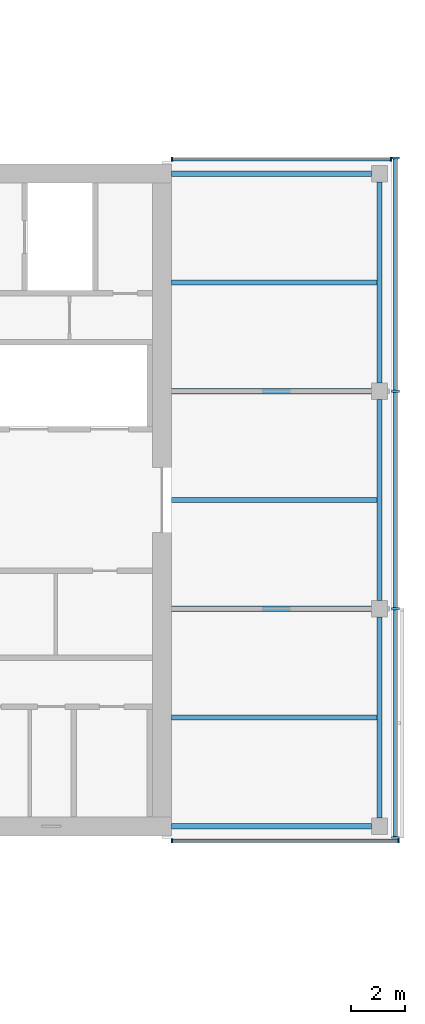
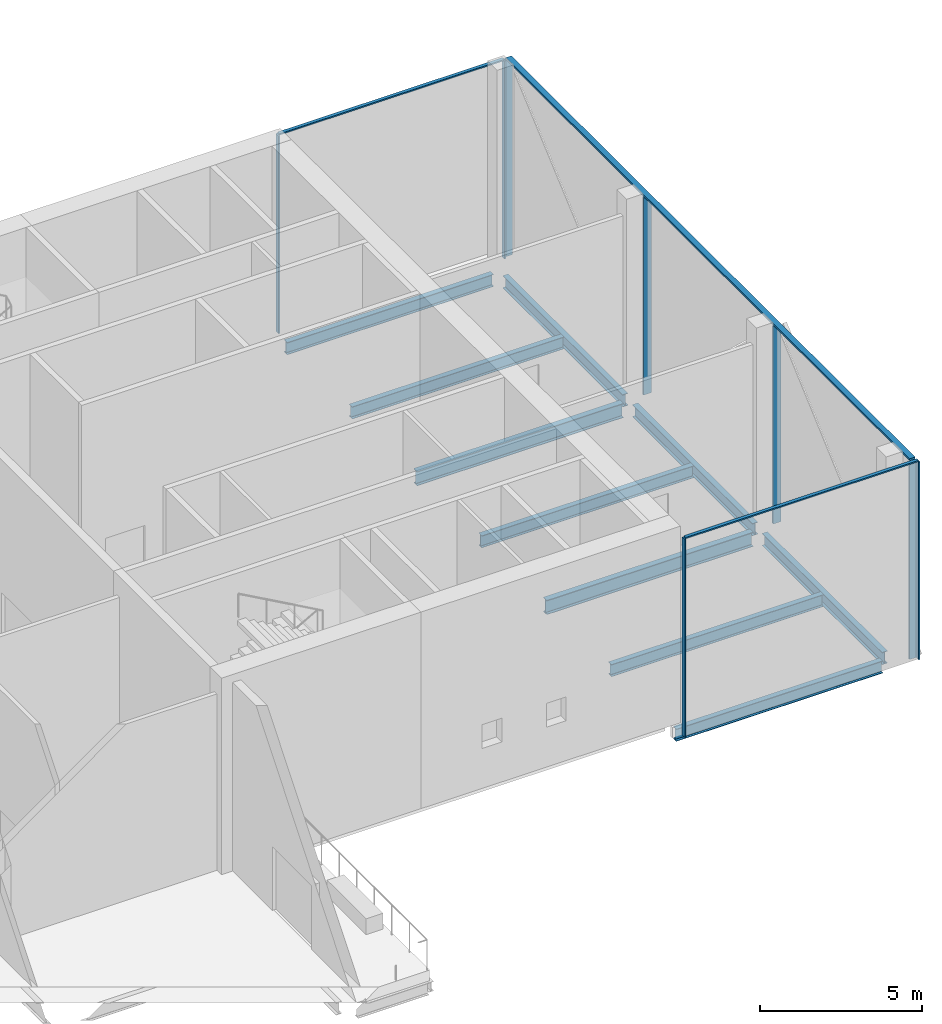
# One storey, part 7 of 20: 11 members, 10 beams, 3 elements without a shape of their own.
"""IFC4 building model written with IfcOpenShell, lengths in metres."""

from ifc_helpers import new_model, si_unit, direction, frame, origin, origin_2d, place, context, subcontext, project, spatial, rectangle, i_section, extrude, material, material_profile, profile_set, type_object, element, aggregate, save


model = new_model("IFC4")

# Units and contexts
model_context = context("Model", 3, precision=1e-05, world=origin(), true_north=direction((0.0, 1.0)))
body_context = subcontext(model_context, "Body", "Model", "MODEL_VIEW")
ifc_project = project(units=[si_unit("LENGTHUNIT", "METRE"), si_unit("AREAUNIT", "SQUARE_METRE"), si_unit("VOLUMEUNIT", "CUBIC_METRE"), si_unit("PLANEANGLEUNIT", "RADIAN"), si_unit("MASSUNIT", "GRAM", prefix="KILO")], contexts=[model_context])

# Site, building, storey
site_placement = place(None, origin())
site = spatial("IfcSite", under=ifc_project, at=site_placement, CompositionType="ELEMENT")
building_placement = place(site_placement, origin())
building = spatial("IfcBuilding", under=site, at=building_placement, Name="Crosswind Convention Tower", CompositionType="ELEMENT")
storey_placement = place(building_placement, frame((0.0, 0.0, 171.5)))
storey = spatial("IfcBuildingStorey", under=building, at=storey_placement, Name="L36", CompositionType="ELEMENT", Elevation=171.5)

# Beams
ifc_material_1 = material(Name="Steel S355", Category="steel")
ifc_material_profile_1 = material_profile(ifc_material_1, i_section(OverallWidth=0.19140625, OverallDepth=0.460205078125, WebThickness=0.010009765625, FlangeThickness=0.01611328125, FilletRadius=0.01025390625, at=origin_2d()), Name="UB 457x191x82")
ifc_profile_set_1 = profile_set([ifc_material_profile_1], Name="Steel S355")
beam_type_1 = type_object("IfcBeamType", Name="Edge beam UB 457x191x82", PredefinedType="SPANDREL", material=ifc_profile_set_1)
for number, where, z_axis, x_axis, name in (
    (1, (153.35009765625, 88.0, -0.630126953125), (1.0, 0.0, 0.0), (0.0, 1.0, 0.0), "B18 L36 edge beam 20"),
    (2, (153.35009765625, 112.0, -0.630126953125), (1.0, 0.0, 0.0), (0.0, 1.0, 0.0), "B18 L36 edge beam 21"),
):
    element("IfcBeam", number, at=place(storey_placement, frame(where, z_axis=z_axis, x_axis=x_axis)), inside=storey, type_object=beam_type_1, Name=name, PredefinedType="SPANDREL", context=body_context, shape_type="SweptSolid", body=[
        extrude(i_section(OverallWidth=0.19140625, OverallDepth=0.460205078125, WebThickness=0.010009765625, FlangeThickness=0.01611328125, FilletRadius=0.01025390625, at=origin_2d()), origin(), (0.0, 0.0, 1.0), 7.349853515625),
    ])
for number, where, z_axis, x_axis, name in (
    (3, (161.0, 88.300048828125, -0.630126953125), (0.0, 1.0, 0.0), (-1.0, 0.0, 0.0), "B18 L36 edge beam 22"),
    (4, (161.0, 96.300048828125, -0.630126953125), (0.0, 1.0, 0.0), (-1.0, 0.0, 0.0), "B18 L36 edge beam 23"),
    (5, (161.0, 104.300048828125, -0.630126953125), (0.0, 1.0, 0.0), (-1.0, 0.0, 0.0), "B18 L36 edge beam 24"),
):
    element("IfcBeam", number, at=place(storey_placement, frame(where, z_axis=z_axis, x_axis=x_axis)), inside=storey, type_object=beam_type_1, Name=name, PredefinedType="SPANDREL", context=body_context, shape_type="SweptSolid", body=[
        extrude(i_section(OverallWidth=0.19140625, OverallDepth=0.460205078125, WebThickness=0.010009765625, FlangeThickness=0.01611328125, FilletRadius=0.01025390625, at=origin_2d()), origin(), (0.0, 0.0, 1.0), 7.39990234375),
    ])
ifc_material_profile_2 = material_profile(ifc_material_1, i_section(OverallWidth=0.210693359375, OverallDepth=0.53955078125, WebThickness=0.01171875, FlangeThickness=0.018798828125, FilletRadius=0.0126953125, at=origin_2d()), Name="UB 533x210x109")
ifc_profile_set_2 = profile_set([ifc_material_profile_2], Name="Steel S355")
beam_type_2 = type_object("IfcBeamType", Name="Girder at core wall UB 533x210x109", PredefinedType="BEAM", material=ifc_profile_set_2)
for number, where, z_axis, x_axis, name in (
    (6, (153.35009765625, 96.0, -0.669677734375), (1.0, 0.0, 0.0), (0.0, 1.0, 0.0), "B25 L36 girder at core wall 11"),
    (7, (153.35009765625, 104.0, -0.669677734375), (1.0, 0.0, 0.0), (0.0, 1.0, 0.0), "B25 L36 girder at core wall 12"),
):
    element("IfcBeam", number, at=place(storey_placement, frame(where, z_axis=z_axis, x_axis=x_axis)), inside=storey, type_object=beam_type_2, Name=name, PredefinedType="BEAM", context=body_context, shape_type="SweptSolid", body=[
        extrude(i_section(OverallWidth=0.210693359375, OverallDepth=0.53955078125, WebThickness=0.01171875, FlangeThickness=0.018798828125, FilletRadius=0.0126953125, at=origin_2d()), origin(), (0.0, 0.0, 1.0), 7.349853515625),
    ])

# Curtain wall, members
ifc_material_2 = material(Name="Aluminium unitised curtain wall", Category="aluminium")
curtain_wall_type_1 = type_object("IfcCurtainWallType", Name="CORE END SLOT WALL 160", PredefinedType="USERDEFINED", material=ifc_material_2)
curtain_wall_1_placement = place(storey_placement, origin())
curtain_wall_1 = element("IfcCurtainWall", 8, at=curtain_wall_1_placement, inside=storey, type_object=curtain_wall_type_1, Name="CW6 L36 E-N.1-1 slot", ObjectType="UNITISED", PredefinedType="USERDEFINED")
ifc_material_3 = material(Name="Aluminium mullion", Category="aluminium")
ifc_material_profile_3 = material_profile(ifc_material_3, rectangle(XDim=0.159912109375, YDim=0.050048828125, at=origin_2d()), Name="AL 160X50")
ifc_profile_set_3 = profile_set([ifc_material_profile_3], Name="Aluminium mullion")
member_type_1 = type_object("IfcMemberType", Name="MULLION 50X160", PredefinedType="MULLION", material=ifc_profile_set_3)
member_1_placement = place(storey_placement, frame((161.425048828125, 112.530029296875, -0.39990234375), z_axis=(0.0, 0.0, 1.0), x_axis=(0.0, 1.0, 0.0)))
member_1 = element("IfcMember", 9, at=member_1_placement, type_object=member_type_1, Name="CW6 mullion 1", PredefinedType="MULLION", context=body_context, shape_type="SweptSolid", body=[
    extrude(rectangle(XDim=0.159912109375, YDim=0.050048828125, at=origin_2d()), origin(), (0.0, 0.0, 1.0), 7.449951171875),
])
member_2_placement = place(storey_placement, frame((153.375, 112.530029296875, -0.39990234375), z_axis=(0.0, 0.0, 1.0), x_axis=(0.0, 1.0, 0.0)))
member_2 = element("IfcMember", 10, at=member_2_placement, type_object=member_type_1, Name="CW6 mullion 2", PredefinedType="MULLION", context=body_context, shape_type="SweptSolid", body=[
    extrude(rectangle(XDim=0.159912109375, YDim=0.050048828125, at=origin_2d()), origin(), (0.0, 0.0, 1.0), 7.449951171875),
])

curtain_wall_2_placement = place(storey_placement, origin())
curtain_wall_2 = element("IfcCurtainWall", 11, at=curtain_wall_2_placement, inside=storey, type_object=curtain_wall_type_1, Name="CW6 L36 E-S.2-1 slot", ObjectType="UNITISED", PredefinedType="USERDEFINED")
member_3_placement = place(storey_placement, frame((153.375, 87.469970703125, -0.39990234375), z_axis=(0.0, 0.0, 1.0), x_axis=(0.0, -1.0, 0.0)))
member_3 = element("IfcMember", 12, at=member_3_placement, type_object=member_type_1, Name="CW6 mullion 1", PredefinedType="MULLION", context=body_context, shape_type="SweptSolid", body=[
    extrude(rectangle(XDim=0.159912109375, YDim=0.050048828125, at=origin_2d()), origin(), (0.0, 0.0, 1.0), 7.449951171875),
])
member_4_placement = place(storey_placement, frame((161.705078125, 87.469970703125, -0.39990234375), z_axis=(0.0, 0.0, 1.0), x_axis=(0.0, -1.0, 0.0)))
member_4 = element("IfcMember", 13, at=member_4_placement, type_object=member_type_1, Name="CW6 mullion 2", PredefinedType="MULLION", context=body_context, shape_type="SweptSolid", body=[
    extrude(rectangle(XDim=0.159912109375, YDim=0.050048828125, at=origin_2d()), origin(), (0.0, 0.0, 1.0), 7.449951171875),
])

curtain_wall_type_2 = type_object("IfcCurtainWallType", Name="SKY LOBBY AND LOUNGE WALL 280", PredefinedType="USERDEFINED", material=ifc_material_2)
curtain_wall_3_placement = place(storey_placement, origin())
curtain_wall_3 = element("IfcCurtainWall", 14, at=curtain_wall_3_placement, inside=storey, type_object=curtain_wall_type_2, Name="CW4 L36 E-TIP 1", ObjectType="UNITISED", PredefinedType="USERDEFINED")
ifc_material_profile_4 = material_profile(ifc_material_3, rectangle(XDim=0.280029296875, YDim=0.074951171875, at=origin_2d()), Name="AL 280X75")
ifc_profile_set_4 = profile_set([ifc_material_profile_4], Name="Aluminium mullion")
member_type_2 = type_object("IfcMemberType", Name="MULLION 75X280", PredefinedType="MULLION", material=ifc_profile_set_4)
member_5_placement = place(storey_placement, frame((161.590087890625, 87.58740234375, -0.39990234375), z_axis=(0.0, 0.0, 1.0), x_axis=(1.0, 0.0, 0.0)))
member_5 = element("IfcMember", 15, at=member_5_placement, type_object=member_type_2, Name="CW4 mullion 1", PredefinedType="MULLION", context=body_context, shape_type="SweptSolid", body=[
    extrude(rectangle(XDim=0.280029296875, YDim=0.074951171875, at=origin_2d()), origin(), (0.0, 0.0, 1.0), 7.4248046875),
])
member_6_placement = place(storey_placement, frame((161.590087890625, 96.0, -0.39990234375), z_axis=(0.0, 0.0, 1.0), x_axis=(1.0, 0.0, 0.0)))
member_6 = element("IfcMember", 16, at=member_6_placement, type_object=member_type_2, Name="CW4 mullion 2", PredefinedType="MULLION", context=body_context, shape_type="SweptSolid", body=[
    extrude(rectangle(XDim=0.280029296875, YDim=0.074951171875, at=origin_2d()), origin(), (0.0, 0.0, 1.0), 7.4248046875),
])
member_7_placement = place(storey_placement, frame((161.590087890625, 104.0, -0.39990234375), z_axis=(0.0, 0.0, 1.0), x_axis=(1.0, 0.0, 0.0)))
member_7 = element("IfcMember", 17, at=member_7_placement, type_object=member_type_2, Name="CW4 mullion 3", PredefinedType="MULLION", context=body_context, shape_type="SweptSolid", body=[
    extrude(rectangle(XDim=0.280029296875, YDim=0.074951171875, at=origin_2d()), origin(), (0.0, 0.0, 1.0), 7.4248046875),
])
member_8_placement = place(storey_placement, frame((161.590087890625, 112.572509765625, -0.39990234375), z_axis=(0.0, 0.0, 1.0), x_axis=(1.0, 0.0, 0.0)))
member_8 = element("IfcMember", 18, at=member_8_placement, type_object=member_type_2, Name="CW4 mullion 4", PredefinedType="MULLION", context=body_context, shape_type="SweptSolid", body=[
    extrude(rectangle(XDim=0.280029296875, YDim=0.074951171875, at=origin_2d()), origin(), (0.0, 0.0, 1.0), 7.4248046875),
])

# Beams
ifc_material_profile_5 = material_profile(ifc_material_1, i_section(OverallWidth=0.18994140625, OverallDepth=0.45361328125, WebThickness=0.008544921875, FlangeThickness=0.0126953125, FilletRadius=0.01025390625, at=origin_2d()), Name="UB 457x191x67")
ifc_profile_set_5 = profile_set([ifc_material_profile_5], Name="Steel S355")
beam_type_3 = type_object("IfcBeamType", Name="Secondary beam UB 457x191x67", PredefinedType="JOIST", material=ifc_profile_set_5)
for number, where, z_axis, x_axis, name in (
    (19, (153.35009765625, 92.0, -0.626708984375), (1.0, 0.0, 0.0), (0.0, 1.0, 0.0), "B11 L36 secondary beam 25"),
    (20, (153.35009765625, 100.0, -0.626708984375), (1.0, 0.0, 0.0), (0.0, 1.0, 0.0), "B11 L36 secondary beam 26"),
    (21, (153.35009765625, 108.0, -0.626708984375), (1.0, 0.0, 0.0), (0.0, 1.0, 0.0), "B11 L36 secondary beam 27"),
):
    element("IfcBeam", number, at=place(storey_placement, frame(where, z_axis=z_axis, x_axis=x_axis)), inside=storey, type_object=beam_type_3, Name=name, PredefinedType="JOIST", context=body_context, shape_type="SweptSolid", body=[
        extrude(i_section(OverallWidth=0.18994140625, OverallDepth=0.45361328125, WebThickness=0.008544921875, FlangeThickness=0.0126953125, FilletRadius=0.01025390625, at=origin_2d()), origin(), (0.0, 0.0, 1.0), 7.55419921875),
    ])

# Member
ifc_material_4 = material(Name="Aluminium transom", Category="aluminium")
ifc_material_profile_6 = material_profile(ifc_material_4, rectangle(XDim=0.1201171875, YDim=0.050048828125, at=origin_2d()), Name="AL 120X50")
ifc_profile_set_6 = profile_set([ifc_material_profile_6], Name="Aluminium transom")
member_type_3 = type_object("IfcMemberType", Name="TRANSOM 50X120", PredefinedType="USERDEFINED", material=ifc_profile_set_6)
member_9_placement = place(storey_placement, frame((161.39990234375, 112.530029296875, 7.074951171875), z_axis=(-1.0, 0.0, 0.0), x_axis=(0.0, -1.0, 0.0)))
member_9 = element("IfcMember", 22, at=member_9_placement, type_object=member_type_3, Name="CW6 transom", ObjectType="TRANSOM", PredefinedType="USERDEFINED", context=body_context, shape_type="SweptSolid", body=[
    extrude(rectangle(XDim=0.1201171875, YDim=0.050048828125, at=origin_2d()), origin(), (0.0, 0.0, 1.0), 8.0),
])

aggregate(curtain_wall_1, [member_1, member_2, member_9])

member_10_placement = place(storey_placement, frame((153.39990234375, 87.469970703125, 7.074951171875), z_axis=(1.0, 0.0, 0.0), x_axis=(0.0, 1.0, 0.0)))
member_10 = element("IfcMember", 23, at=member_10_placement, type_object=member_type_3, Name="CW6 transom", ObjectType="TRANSOM", PredefinedType="USERDEFINED", context=body_context, shape_type="SweptSolid", body=[
    extrude(rectangle(XDim=0.1201171875, YDim=0.050048828125, at=origin_2d()), origin(), (0.0, 0.0, 1.0), 8.280029296875),
])

aggregate(curtain_wall_2, [member_3, member_4, member_10])

ifc_material_profile_7 = material_profile(ifc_material_4, rectangle(XDim=0.199951171875, YDim=0.074951171875, at=origin_2d()), Name="AL 200X75")
ifc_profile_set_7 = profile_set([ifc_material_profile_7], Name="Aluminium transom")
member_type_4 = type_object("IfcMemberType", Name="TRANSOM 75X200", PredefinedType="USERDEFINED", material=ifc_profile_set_7)
member_11_placement = place(storey_placement, frame((161.590087890625, 87.625, 7.0625), z_axis=(0.0, 1.0, 0.0), x_axis=(-1.0, 0.0, 0.0)))
member_11 = element("IfcMember", 24, at=member_11_placement, type_object=member_type_4, Name="CW4 transom", ObjectType="TRANSOM", PredefinedType="USERDEFINED", context=body_context, shape_type="SweptSolid", body=[
    extrude(rectangle(XDim=0.199951171875, YDim=0.074951171875, at=origin_2d()), origin(), (0.0, 0.0, 1.0), 24.909912109375),
])

aggregate(curtain_wall_3, [member_5, member_6, member_7, member_8, member_11])

save(model, "model.ifc")
